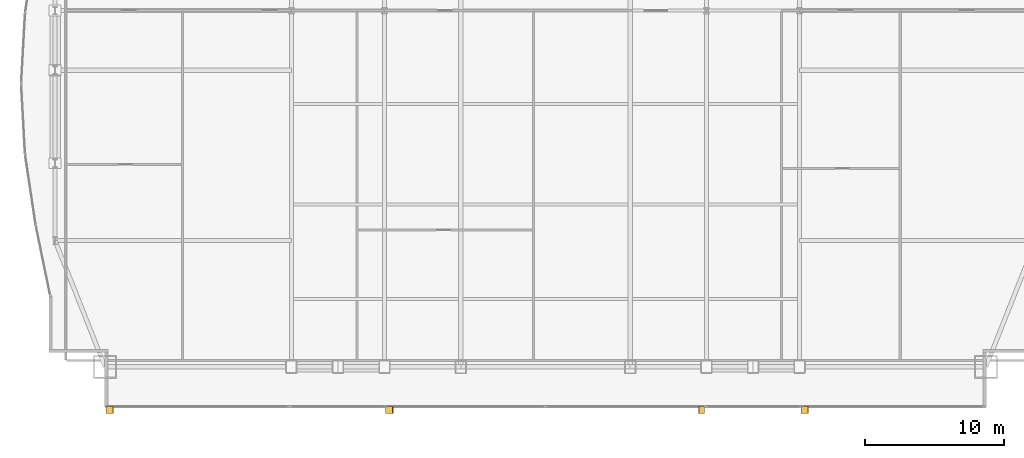
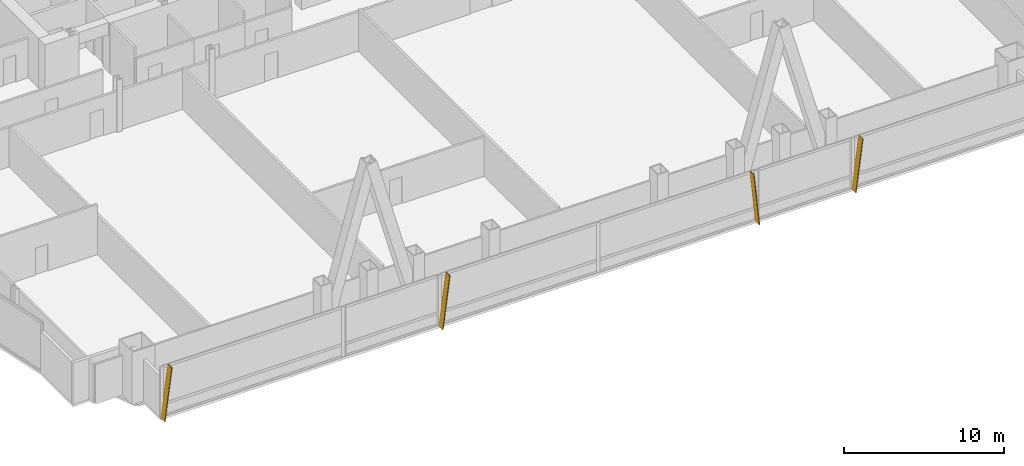
# One storey, part 35 of 36: 4 shading devices.
"""IFC4 building model written with IfcOpenShell, lengths in metres."""

from ifc_helpers import new_model, si_unit, direction, frame, origin, place, context, subcontext, project, spatial, polyline, outline, extrude, material, layer, layer_set, type_object, element, save


model = new_model("IFC4")

# Units and contexts
model_context = context("Model", 3, precision=1e-05, world=origin(), true_north=direction((0.0, 1.0)))
body_context = subcontext(model_context, "Body", "Model", "MODEL_VIEW")
ifc_project = project(units=[si_unit("LENGTHUNIT", "METRE"), si_unit("AREAUNIT", "SQUARE_METRE"), si_unit("VOLUMEUNIT", "CUBIC_METRE"), si_unit("PLANEANGLEUNIT", "RADIAN"), si_unit("MASSUNIT", "GRAM", prefix="KILO")], contexts=[model_context])

# Site, building, storey
site_placement = place(None, origin())
site = spatial("IfcSite", under=ifc_project, at=site_placement, CompositionType="ELEMENT")
building_placement = place(site_placement, origin())
building = spatial("IfcBuilding", under=site, at=building_placement, Name="Khoronbel Lancet Exchange", CompositionType="ELEMENT")
storey_placement = place(building_placement, frame((0.0, 0.0, 49.800048828125)))
storey = spatial("IfcBuildingStorey", under=building, at=storey_placement, Name="L11", CompositionType="ELEMENT", Elevation=49.800048828125)

# Shading devices
ifc_material = material(Name="Bronze-Anodised Aluminium 6063-T6", Category="aluminium")
ifc_layer = layer(ifc_material, 0.054931640625, Name="Bronze-Anodised Aluminium 6063-T6")
ifc_layer_set = layer_set([ifc_layer], Name="Bronze-Anodised Aluminium 6063-T6")
shading_device_type = type_object("IfcShadingDeviceType", Name="SHD-FIN1", PredefinedType="USERDEFINED", material=ifc_layer_set)
for number, where, z_axis, x_axis, name in (
    (1, (4.91259765625, 7.31005859375, -0.080078125), (-0.991889216598, 0.0, 0.127105397195), (0.0, -1.0, 0.0), "Slanted bronze solar fin CW-L11-SWV-0"),
    (2, (24.972412109375, 7.31005859375, -0.080078125), (-0.991881465906, 0.0, 0.127165866462), (0.0, -1.0, 0.0), "Slanted bronze solar fin CW-L11-SCV-0"),
):
    element("IfcShadingDevice", number, at=place(storey_placement, frame(where, z_axis=z_axis, x_axis=x_axis)), inside=storey, type_object=shading_device_type, Name=name, ObjectType="FIN", PredefinedType="USERDEFINED", context=body_context, shape_type="SweptSolid", body=[
        extrude(outline(polyline([(0.0, 0.0), (0.52001953125, 0.0), (0.52001953125, 3.97216796875), (0.0, 3.97216796875), (0.0, 0.0)])), origin(), (0.0, 0.0, -1.0), 0.054931640625),
    ])
shading_device_1_placement = place(storey_placement, frame((47.87255859375, 7.31005859375, -0.080078125), z_axis=(0.995011517869, 0.0, 0.099760108806), x_axis=(0.0, -1.0, 0.0)))
element("IfcShadingDevice", 3, at=shading_device_1_placement, inside=storey, type_object=shading_device_type, Name="Slanted bronze solar fin CW-L11-SCV-2", ObjectType="FIN", PredefinedType="USERDEFINED", context=body_context, shape_type="SweptSolid", body=[
    extrude(outline(polyline([(0.0, 0.0), (0.52001953125, 0.0), (0.52001953125, -3.959716796875), (0.0, -3.959716796875), (0.0, 0.0)])), origin(), (0.0, 0.0, -1.0), 0.054931640625),
])
shading_device_2_placement = place(storey_placement, frame((54.7724609375, 7.31005859375, -0.080078125), z_axis=(-0.991881465906, 0.0, 0.127165866462), x_axis=(0.0, -1.0, 0.0)))
element("IfcShadingDevice", 4, at=shading_device_2_placement, inside=storey, type_object=shading_device_type, Name="Slanted bronze solar fin CW-L11-SEV-0", ObjectType="FIN", PredefinedType="USERDEFINED", context=body_context, shape_type="SweptSolid", body=[
    extrude(outline(polyline([(0.0, 0.0), (0.52001953125, 0.0), (0.52001953125, 3.97216796875), (0.0, 3.97216796875), (0.0, 0.0)])), origin(), (0.0, 0.0, -1.0), 0.054931640625),
])

save(model, "model.ifc")
